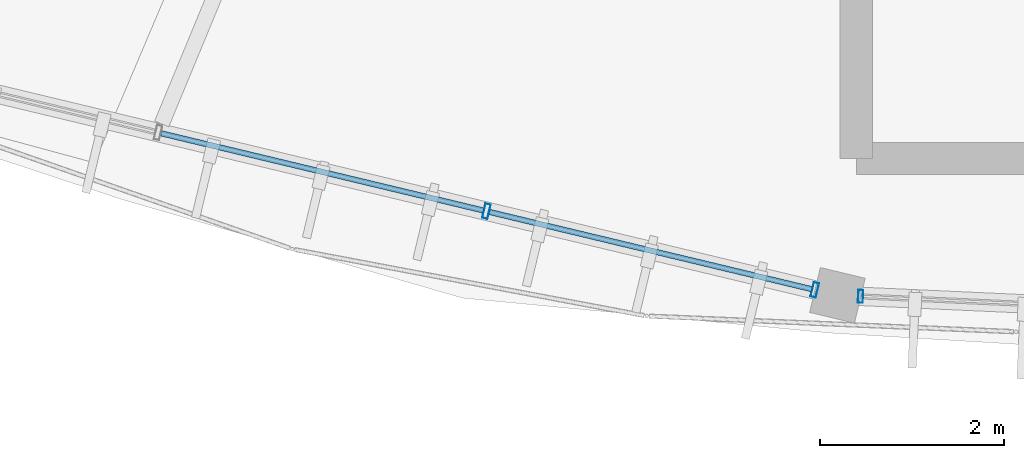
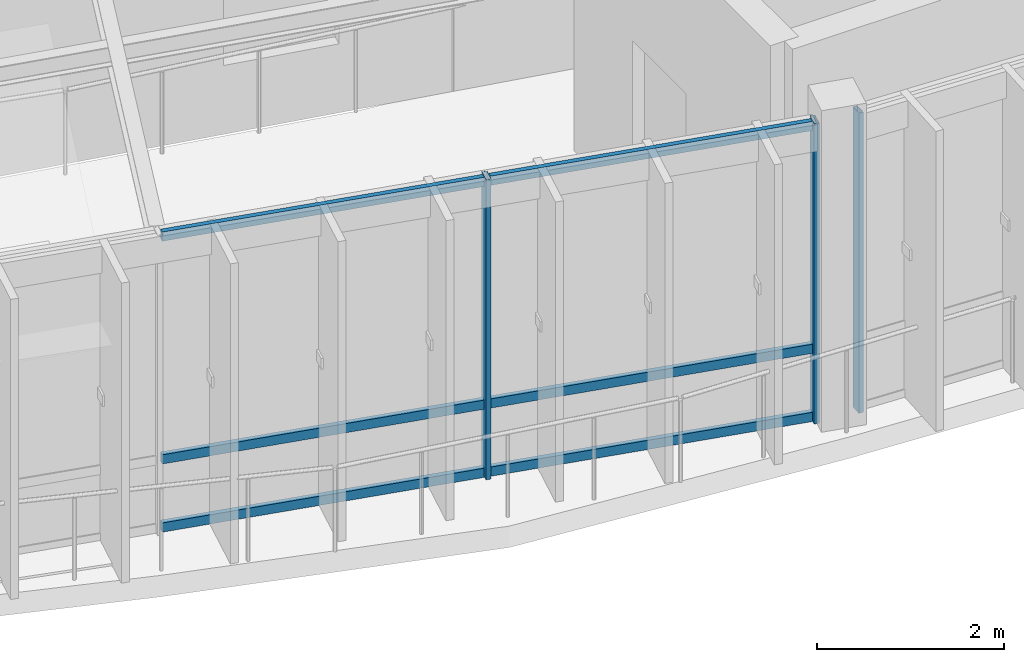
# One storey, part 12 of 78: 9 members, 2 elements without a shape of their own.
"""IFC4 building model written with IfcOpenShell, lengths in metres."""

from ifc_helpers import new_model, si_unit, direction, frame, origin, origin_2d, place, context, subcontext, project, spatial, hollow_rectangle, extrude, material, material_profile, profile_set, type_object, element, aggregate, save


model = new_model("IFC4")

# Units and contexts
model_context = context("Model", 3, precision=1e-05, world=origin(), true_north=direction((0.0, 1.0)))
body_context = subcontext(model_context, "Body", "Model", "MODEL_VIEW")
ifc_project = project(units=[si_unit("LENGTHUNIT", "METRE"), si_unit("AREAUNIT", "SQUARE_METRE"), si_unit("VOLUMEUNIT", "CUBIC_METRE"), si_unit("PLANEANGLEUNIT", "RADIAN"), si_unit("MASSUNIT", "GRAM", prefix="KILO"), si_unit("THERMODYNAMICTEMPERATUREUNIT", "KELVIN"), si_unit("POWERUNIT", "WATT")], contexts=[model_context])

# Site, building, storey
site_placement = place(None, origin())
site = spatial("IfcSite", under=ifc_project, at=site_placement, CompositionType="ELEMENT")
building_placement = place(site_placement, origin())
building = spatial("IfcBuilding", under=site, at=building_placement, Name="Darbajah Civic Hall", CompositionType="ELEMENT")
storey_placement = place(building_placement, frame((0.0, 0.0, 26.39990234375)))
storey = spatial("IfcBuildingStorey", under=building, at=storey_placement, Name="L06", CompositionType="ELEMENT", Elevation=26.39990234375)

# Curtain wall, member
ifc_material_1 = material(Name="Anodised Bronze Aluminium and Low-E Glazing", Category="aluminium")
curtain_wall_type_1 = type_object("IfcCurtainWallType", Name="Unitised Curtain Wall CW-84 15400x3900", PredefinedType="USERDEFINED", material=ifc_material_1)
curtain_wall_1_placement = place(storey_placement, origin())
curtain_wall_1 = element("IfcCurtainWall", 1, at=curtain_wall_1_placement, inside=storey, type_object=curtain_wall_type_1, Name="L06 unitised curtain wall CW-V1O-L06-14", ObjectType="UNITISED CURTAIN WALL", PredefinedType="USERDEFINED")
ifc_material_2 = material(Name="Anodised Bronze Aluminium", Category="aluminium")
ifc_material_profile_1 = material_profile(ifc_material_2, hollow_rectangle(XDim=0.054931640625, YDim=0.139892578125, WallThickness=0.003173828125, at=origin_2d()), Name="ALU MULLION 55x140")
ifc_profile_set_1 = profile_set([ifc_material_profile_1], Name="Anodised Bronze Aluminium")
member_type_1 = type_object("IfcMemberType", Name="ALU MULLION 55x140", PredefinedType="MULLION", material=ifc_profile_set_1)
member_1_placement = place(storey_placement, frame((77.446044921875, 61.103515625, 0.0), z_axis=(0.0, 0.0, 1.0), x_axis=(0.998962637241, -0.045537340693, 0.0)))
member_1 = element("IfcMember", 2, at=member_1_placement, type_object=member_type_1, Name="CW-V1O-L06-14 mullion 1", PredefinedType="MULLION", context=body_context, shape_type="SweptSolid", body=[
    extrude(hollow_rectangle(XDim=0.054931640625, YDim=0.139892578125, WallThickness=0.003173828125, at=origin_2d()), origin(), (0.0, 0.0, 1.0), 3.920166015625),
])
aggregate(curtain_wall_1, [member_1])

# Curtain wall, members
curtain_wall_type_2 = type_object("IfcCurtainWallType", Name="Unitised Curtain Wall CW-90 14700x3900", PredefinedType="USERDEFINED", material=ifc_material_1)
curtain_wall_2_placement = place(storey_placement, origin())
curtain_wall_2 = element("IfcCurtainWall", 3, at=curtain_wall_2_placement, inside=storey, type_object=curtain_wall_type_2, Name="L06 unitised curtain wall CW-V1O-L06-13", ObjectType="UNITISED CURTAIN WALL", PredefinedType="USERDEFINED")
ifc_material_profile_2 = material_profile(ifc_material_2, hollow_rectangle(XDim=0.06005859375, YDim=0.159912109375, WallThickness=0.00341796875, at=origin_2d()), Name="ALU MULLION 60x160")
ifc_profile_set_2 = profile_set([ifc_material_profile_2], Name="Anodised Bronze Aluminium")
member_type_2 = type_object("IfcMemberType", Name="ALU MULLION 60x160", PredefinedType="MULLION", material=ifc_profile_set_2)
member_2_placement = place(storey_placement, frame((73.38623046875, 62.027587890625, 0.0), z_axis=(0.0, 0.0, 1.0), x_axis=(0.972492018808, -0.232936200179, 0.0)))
member_2 = element("IfcMember", 4, at=member_2_placement, type_object=member_type_2, Name="CW-V1O-L06-13 mullion 4", PredefinedType="MULLION", context=body_context, shape_type="SweptSolid", body=[
    extrude(hollow_rectangle(XDim=0.06005859375, YDim=0.159912109375, WallThickness=0.00341796875, at=origin_2d()), origin(), (0.0, 0.0, 1.0), 3.920166015625),
])
member_3_placement = place(storey_placement, frame((76.94921875, 61.173828125, 0.0), z_axis=(0.0, 0.0, 1.0), x_axis=(0.972492018808, -0.232936200179, 0.0)))
member_3 = element("IfcMember", 5, at=member_3_placement, type_object=member_type_2, Name="CW-V1O-L06-13 mullion 5", PredefinedType="MULLION", context=body_context, shape_type="SweptSolid", body=[
    extrude(hollow_rectangle(XDim=0.06005859375, YDim=0.159912109375, WallThickness=0.00341796875, at=origin_2d()), origin(), (0.0, 0.0, 1.0), 3.920166015625),
])
ifc_material_profile_3 = material_profile(ifc_material_2, hollow_rectangle(XDim=0.06005859375, YDim=0.1201171875, WallThickness=0.003173828125, at=origin_2d()), Name="ALU TRANSOM 60x120")
ifc_profile_set_3 = profile_set([ifc_material_profile_3], Name="Anodised Bronze Aluminium")
member_type_3 = type_object("IfcMemberType", Name="ALU TRANSOM 60x120", PredefinedType="USERDEFINED", material=ifc_profile_set_3)
member_4_placement = place(storey_placement, frame((69.857421875, 62.872802734375, 0.06005859375), z_axis=(0.972488957838, -0.232948979143, 0.0), x_axis=(0.232948979143, 0.972488957838, 0.0)))
member_4 = element("IfcMember", 6, at=member_4_placement, type_object=member_type_3, Name="CW-V1O-L06-13 transom 3.1", ObjectType="TRANSOM", PredefinedType="USERDEFINED", context=body_context, shape_type="SweptSolid", body=[
    extrude(hollow_rectangle(XDim=0.06005859375, YDim=0.1201171875, WallThickness=0.003173828125, at=origin_2d()), origin(), (0.0, 0.0, 1.0), 3.59375),
])
member_5_placement = place(storey_placement, frame((69.857421875, 62.872802734375, 0.9501953125), z_axis=(0.972488957838, -0.232948979143, 0.0), x_axis=(0.232948979143, 0.972488957838, 0.0)))
member_5 = element("IfcMember", 7, at=member_5_placement, type_object=member_type_3, Name="CW-V1O-L06-13 transom 3.2", ObjectType="TRANSOM", PredefinedType="USERDEFINED", context=body_context, shape_type="SweptSolid", body=[
    extrude(hollow_rectangle(XDim=0.06005859375, YDim=0.1201171875, WallThickness=0.003173828125, at=origin_2d()), origin(), (0.0, 0.0, 1.0), 3.59375),
])
member_6_placement = place(storey_placement, frame((69.857421875, 62.872802734375, 3.860107421875), z_axis=(0.972488957838, -0.232948979143, 0.0), x_axis=(0.232948979143, 0.972488957838, 0.0)))
member_6 = element("IfcMember", 8, at=member_6_placement, type_object=member_type_3, Name="CW-V1O-L06-13 transom 3.3", ObjectType="TRANSOM", PredefinedType="USERDEFINED", context=body_context, shape_type="SweptSolid", body=[
    extrude(hollow_rectangle(XDim=0.06005859375, YDim=0.1201171875, WallThickness=0.003173828125, at=origin_2d()), origin(), (0.0, 0.0, 1.0), 3.59375),
])
member_7_placement = place(storey_placement, frame((73.42041015625, 62.019287109375, 0.06005859375), z_axis=(0.972473565952, -0.233013226072, 0.0), x_axis=(0.233013226072, 0.972473565952, 0.0)))
member_7 = element("IfcMember", 9, at=member_7_placement, type_object=member_type_3, Name="CW-V1O-L06-13 transom 4.1", ObjectType="TRANSOM", PredefinedType="USERDEFINED", context=body_context, shape_type="SweptSolid", body=[
    extrude(hollow_rectangle(XDim=0.06005859375, YDim=0.1201171875, WallThickness=0.003173828125, at=origin_2d()), origin(), (0.0, 0.0, 1.0), 3.59375),
])
member_8_placement = place(storey_placement, frame((73.42041015625, 62.019287109375, 0.9501953125), z_axis=(0.972473565952, -0.233013226072, 0.0), x_axis=(0.233013226072, 0.972473565952, 0.0)))
member_8 = element("IfcMember", 10, at=member_8_placement, type_object=member_type_3, Name="CW-V1O-L06-13 transom 4.2", ObjectType="TRANSOM", PredefinedType="USERDEFINED", context=body_context, shape_type="SweptSolid", body=[
    extrude(hollow_rectangle(XDim=0.06005859375, YDim=0.1201171875, WallThickness=0.003173828125, at=origin_2d()), origin(), (0.0, 0.0, 1.0), 3.59375),
])
member_9_placement = place(storey_placement, frame((73.42041015625, 62.019287109375, 3.860107421875), z_axis=(0.972473565952, -0.233013226072, 0.0), x_axis=(0.233013226072, 0.972473565952, 0.0)))
member_9 = element("IfcMember", 11, at=member_9_placement, type_object=member_type_3, Name="CW-V1O-L06-13 transom 4.3", ObjectType="TRANSOM", PredefinedType="USERDEFINED", context=body_context, shape_type="SweptSolid", body=[
    extrude(hollow_rectangle(XDim=0.06005859375, YDim=0.1201171875, WallThickness=0.003173828125, at=origin_2d()), origin(), (0.0, 0.0, 1.0), 3.59375),
])
aggregate(curtain_wall_2, [member_2, member_3, member_4, member_5, member_6, member_7, member_8, member_9])

save(model, "model.ifc")
